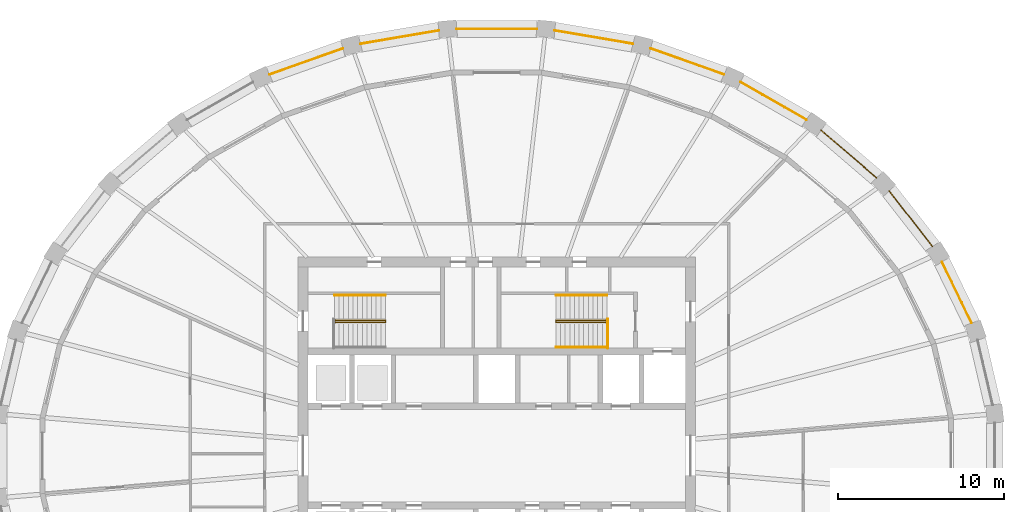
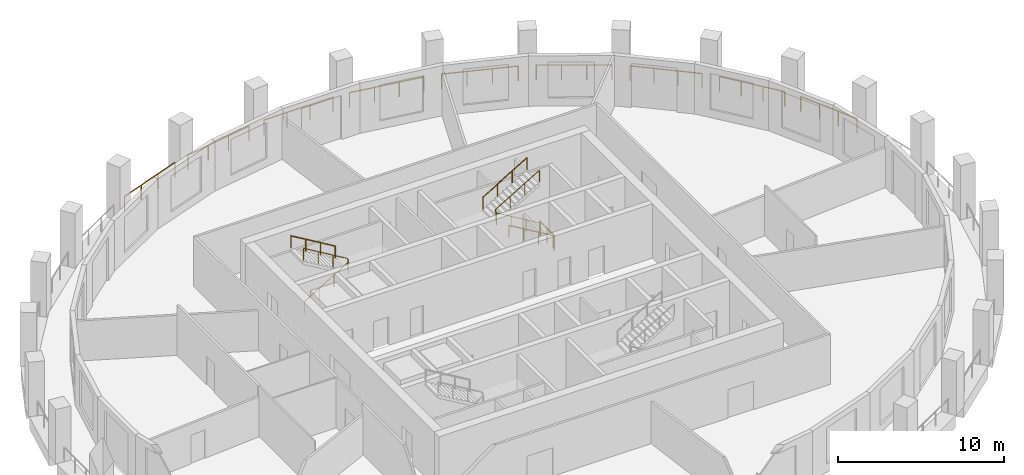
# One storey, part 9 of 10: 15 railings.
"""IFC4 building model written with IfcOpenShell, lengths in metres."""

from ifc_helpers import new_model, si_unit, direction, frame, origin, origin_2d, place, context, subcontext, project, spatial, circle, extrude, material, type_object, element, save


model = new_model("IFC4")

# Units and contexts
model_context = context("Model", 3, precision=1e-05, world=origin(), true_north=direction((0.0, 1.0)))
body_context = subcontext(model_context, "Body", "Model", "MODEL_VIEW")
ifc_project = project(units=[si_unit("LENGTHUNIT", "METRE"), si_unit("AREAUNIT", "SQUARE_METRE"), si_unit("VOLUMEUNIT", "CUBIC_METRE"), si_unit("PLANEANGLEUNIT", "RADIAN"), si_unit("MASSUNIT", "GRAM", prefix="KILO")], contexts=[model_context])

# Site, building, storey
site_placement = place(None, origin())
site = spatial("IfcSite", under=ifc_project, at=site_placement, CompositionType="ELEMENT")
building_placement = place(site_placement, origin())
building = spatial("IfcBuilding", under=site, at=building_placement, Name="Halqa Exchange Tower", CompositionType="ELEMENT")
storey_placement = place(building_placement, frame((0.0, 0.0, 260.300048828125)))
storey = spatial("IfcBuildingStorey", under=building, at=storey_placement, Name="L60", CompositionType="ELEMENT", Elevation=260.300048828125)

# Railings
ifc_material = material(Name="Stainless steel", Category="steel")
railing_type_1 = type_object("IfcRailingType", Name="Guard 1100 stainless steel", PredefinedType="GUARDRAIL", material=ifc_material)
railing_1_placement = place(storey_placement, frame((28.67041015625, 8.011962890625, 0.0)))
element("IfcRailing", 1, at=railing_1_placement, inside=storey, type_object=railing_type_1, Name="Loggia guard 2", PredefinedType="GUARDRAIL", context=body_context, shape_type="SweptSolid", body=[
    extrude(circle(Radius=0.02392578125, at=origin_2d()), frame((0.0, 0.0, 1.076171875), z_axis=(-0.435122901851, 0.900371068107, 0.0), x_axis=(-0.900371068107, -0.435122901851, 0.0)), (0.0, 0.0, 1.0), 4.10888671875),
    extrude(circle(Radius=0.02099609375, at=origin_2d()), origin(), (0.0, 0.0, 1.0), 1.052001953125),
    extrude(circle(Radius=0.02099609375, at=origin_2d()), frame((-0.595947265625, 1.233154296875, 0.0)), (0.0, 0.0, 1.0), 1.052001953125),
    extrude(circle(Radius=0.02099609375, at=origin_2d()), frame((-1.19189453125, 2.46630859375, 0.0)), (0.0, 0.0, 1.0), 1.052001953125),
    extrude(circle(Radius=0.02099609375, at=origin_2d()), frame((-1.787841796875, 3.699462890625, 0.0)), (0.0, 0.0, 1.0), 1.052001953125),
])
railing_2_placement = place(storey_placement, frame((26.30517578125, 12.640380859375, 0.0)))
element("IfcRailing", 2, at=railing_2_placement, inside=storey, type_object=railing_type_1, Name="Loggia guard 3", PredefinedType="GUARDRAIL", context=body_context, shape_type="SweptSolid", body=[
    extrude(circle(Radius=0.02392578125, at=origin_2d()), frame((0.0, 0.0, 1.076171875), z_axis=(-0.614806859209, 0.788677707223, 0.0), x_axis=(-0.788677707223, -0.614806859209, 0.0)), (0.0, 0.0, 1.0), 4.251708984375),
    extrude(circle(Radius=0.02099609375, at=origin_2d()), origin(), (0.0, 0.0, 1.0), 1.052001953125),
    extrude(circle(Radius=0.02099609375, at=origin_2d()), frame((-0.871337890625, 1.11767578125, 0.0)), (0.0, 0.0, 1.0), 1.052001953125),
    extrude(circle(Radius=0.02099609375, at=origin_2d()), frame((-1.74267578125, 2.235595703125, 0.0)), (0.0, 0.0, 1.0), 1.052001953125),
    extrude(circle(Radius=0.02099609375, at=origin_2d()), frame((-2.614013671875, 3.353271484375, 0.0)), (0.0, 0.0, 1.0), 1.052001953125),
])
railing_3_placement = place(storey_placement, frame((22.935302734375, 16.785400390625, 0.0)))
element("IfcRailing", 3, at=railing_3_placement, inside=storey, type_object=railing_type_1, Name="Loggia guard 4", PredefinedType="GUARDRAIL", context=body_context, shape_type="SweptSolid", body=[
    extrude(circle(Radius=0.02392578125, at=origin_2d()), frame((0.0, 0.0, 1.076171875), z_axis=(-0.759240989742, 0.650809587741, 0.0), x_axis=(-0.650809587741, -0.759240989742, 0.0)), (0.0, 0.0, 1.0), 4.415283203125),
    extrude(circle(Radius=0.02099609375, at=origin_2d()), origin(), (0.0, 0.0, 1.0), 1.052001953125),
    extrude(circle(Radius=0.02099609375, at=origin_2d()), frame((-1.117431640625, 0.957763671875, 0.0)), (0.0, 0.0, 1.0), 1.052001953125),
    extrude(circle(Radius=0.02099609375, at=origin_2d()), frame((-2.23486328125, 1.915771484375, 0.0)), (0.0, 0.0, 1.0), 1.052001953125),
    extrude(circle(Radius=0.02099609375, at=origin_2d()), frame((-3.352294921875, 2.87353515625, 0.0)), (0.0, 0.0, 1.0), 1.052001953125),
])
railing_4_placement = place(storey_placement, frame((18.68798828125, 20.290283203125, 0.0)))
element("IfcRailing", 4, at=railing_4_placement, inside=storey, type_object=railing_type_1, Name="Loggia guard 5", PredefinedType="GUARDRAIL", context=body_context, shape_type="SweptSolid", body=[
    extrude(circle(Radius=0.02392578125, at=origin_2d()), frame((0.0, 0.0, 1.076171875), z_axis=(-0.867756640144, 0.496989349469, 0.0), x_axis=(-0.496989349469, -0.867756640144, 0.0)), (0.0, 0.0, 1.0), 4.574462890625),
    extrude(circle(Radius=0.02099609375, at=origin_2d()), origin(), (0.0, 0.0, 1.0), 1.052001953125),
    extrude(circle(Radius=0.02099609375, at=origin_2d()), frame((-1.3232421875, 0.7578125, 0.0)), (0.0, 0.0, 1.0), 1.052001953125),
    extrude(circle(Radius=0.02099609375, at=origin_2d()), frame((-2.646240234375, 1.515625, 0.0)), (0.0, 0.0, 1.0), 1.052001953125),
    extrude(circle(Radius=0.02099609375, at=origin_2d()), frame((-3.969482421875, 2.2734375, 0.0)), (0.0, 0.0, 1.0), 1.052001953125),
])
railing_5_placement = place(storey_placement, frame((13.722900390625, 23.02099609375, 0.0)))
element("IfcRailing", 5, at=railing_5_placement, inside=storey, type_object=railing_type_1, Name="Loggia guard 6", PredefinedType="GUARDRAIL", context=body_context, shape_type="SweptSolid", body=[
    extrude(circle(Radius=0.02392578125, at=origin_2d()), frame((0.0, 0.0, 1.076171875), z_axis=(-0.942362332285, 0.334594134275, 0.0), x_axis=(-0.334594134275, -0.942362332285, 0.0)), (0.0, 0.0, 1.0), 4.706298828125),
    extrude(circle(Radius=0.02099609375, at=origin_2d()), origin(), (0.0, 0.0, 1.0), 1.052001953125),
    extrude(circle(Radius=0.02099609375, at=origin_2d()), frame((-1.478271484375, 0.52490234375, 0.0)), (0.0, 0.0, 1.0), 1.052001953125),
    extrude(circle(Radius=0.02099609375, at=origin_2d()), frame((-2.956787109375, 1.0498046875, 0.0)), (0.0, 0.0, 1.0), 1.052001953125),
    extrude(circle(Radius=0.02099609375, at=origin_2d()), frame((-4.43505859375, 1.57470703125, 0.0)), (0.0, 0.0, 1.0), 1.052001953125),
])
railing_6_placement = place(storey_placement, frame((8.227294921875, 24.8720703125, 0.0)))
element("IfcRailing", 6, at=railing_6_placement, inside=storey, type_object=railing_type_1, Name="Loggia guard 7", PredefinedType="GUARDRAIL", context=body_context, shape_type="SweptSolid", body=[
    extrude(circle(Radius=0.02392578125, at=origin_2d()), frame((0.0, 0.0, 1.076171875), z_axis=(-0.98577433099, 0.168074294172, 0.0), x_axis=(-0.168074294172, -0.98577433099, 0.0)), (0.0, 0.0, 1.0), 4.7919921875),
    extrude(circle(Radius=0.02099609375, at=origin_2d()), origin(), (0.0, 0.0, 1.0), 1.052001953125),
    extrude(circle(Radius=0.02099609375, at=origin_2d()), frame((-1.57470703125, 0.2685546875, 0.0)), (0.0, 0.0, 1.0), 1.052001953125),
    extrude(circle(Radius=0.02099609375, at=origin_2d()), frame((-3.149169921875, 0.536865234375, 0.0)), (0.0, 0.0, 1.0), 1.052001953125),
    extrude(circle(Radius=0.02099609375, at=origin_2d()), frame((-4.723876953125, 0.805419921875, 0.0)), (0.0, 0.0, 1.0), 1.052001953125),
])
railing_7_placement = place(storey_placement, frame((2.4111328125, 25.77001953125, 0.0)))
element("IfcRailing", 7, at=railing_7_placement, inside=storey, type_object=railing_type_1, Name="Loggia guard 8", PredefinedType="GUARDRAIL", context=body_context, shape_type="SweptSolid", body=[
    extrude(circle(Radius=0.02392578125, at=origin_2d()), frame((0.0, 0.0, 1.076171875), z_axis=(-1.0, 0.0, 0.0), x_axis=(0.0, -1.0, 0.0)), (0.0, 0.0, 1.0), 4.822265625),
    extrude(circle(Radius=0.02099609375, at=origin_2d()), origin(), (0.0, 0.0, 1.0), 1.052001953125),
    extrude(circle(Radius=0.02099609375, at=origin_2d()), frame((-1.607421875, 0.0, 0.0)), (0.0, 0.0, 1.0), 1.052001953125),
    extrude(circle(Radius=0.02099609375, at=origin_2d()), frame((-3.21484375, 0.0, 0.0)), (0.0, 0.0, 1.0), 1.052001953125),
    extrude(circle(Radius=0.02099609375, at=origin_2d()), frame((-4.822265625, 0.0, 0.0)), (0.0, 0.0, 1.0), 1.052001953125),
])
railing_8_placement = place(storey_placement, frame((-3.50341796875, 25.677490234375, 0.0)))
element("IfcRailing", 8, at=railing_8_placement, inside=storey, type_object=railing_type_1, Name="Loggia guard 9", PredefinedType="GUARDRAIL", context=body_context, shape_type="SweptSolid", body=[
    extrude(circle(Radius=0.02392578125, at=origin_2d()), frame((0.0, 0.0, 1.076171875), z_axis=(-0.98577433099, -0.168074294172, 0.0), x_axis=(0.168074294172, -0.98577433099, 0.0)), (0.0, 0.0, 1.0), 4.7919921875),
    extrude(circle(Radius=0.02099609375, at=origin_2d()), origin(), (0.0, 0.0, 1.0), 1.052001953125),
    extrude(circle(Radius=0.02099609375, at=origin_2d()), frame((-1.57470703125, -0.2685546875, 0.0)), (0.0, 0.0, 1.0), 1.052001953125),
    extrude(circle(Radius=0.02099609375, at=origin_2d()), frame((-3.149169921875, -0.536865234375, 0.0)), (0.0, 0.0, 1.0), 1.052001953125),
    extrude(circle(Radius=0.02099609375, at=origin_2d()), frame((-4.723876953125, -0.805419921875, 0.0)), (0.0, 0.0, 1.0), 1.052001953125),
])
railing_9_placement = place(storey_placement, frame((-9.287841796875, 24.595703125, 0.0)))
element("IfcRailing", 9, at=railing_9_placement, inside=storey, type_object=railing_type_1, Name="Loggia guard 10", PredefinedType="GUARDRAIL", context=body_context, shape_type="SweptSolid", body=[
    extrude(circle(Radius=0.02392578125, at=origin_2d()), frame((0.0, 0.0, 1.076171875), z_axis=(-0.942362332285, -0.334594134275, 0.0), x_axis=(0.334594134275, -0.942362332285, 0.0)), (0.0, 0.0, 1.0), 4.706298828125),
    extrude(circle(Radius=0.02099609375, at=origin_2d()), origin(), (0.0, 0.0, 1.0), 1.052001953125),
    extrude(circle(Radius=0.02099609375, at=origin_2d()), frame((-1.478271484375, -0.52490234375, 0.0)), (0.0, 0.0, 1.0), 1.052001953125),
    extrude(circle(Radius=0.02099609375, at=origin_2d()), frame((-2.956787109375, -1.0498046875, 0.0)), (0.0, 0.0, 1.0), 1.052001953125),
    extrude(circle(Radius=0.02099609375, at=origin_2d()), frame((-4.43505859375, -1.57470703125, 0.0)), (0.0, 0.0, 1.0), 1.052001953125),
])
railing_type_2 = type_object("IfcRailingType", Name="Stair handrail 900", PredefinedType="HANDRAIL", material=ifc_material)
railing_10_placement = place(storey_placement, frame((-9.800048828125, 8.06005859375, 0.166748046875)))
element("IfcRailing", 10, at=railing_10_placement, inside=storey, type_object=railing_type_2, Name="Handrail ST1.1", PredefinedType="HANDRAIL", context=body_context, shape_type="SweptSolid", body=[
    extrude(circle(Radius=0.02392578125, at=origin_2d()), frame((0.0, 0.0, 0.8759765625), z_axis=(0.859308565015, 0.0, 0.511457515432), x_axis=(0.0, 1.0, 0.0)), (0.0, 0.0, 1.0), 3.58447265625),
    extrude(circle(Radius=0.02392578125, at=origin_2d()), frame((3.080078125, 0.0, 2.708984375), z_axis=(0.0, 0.614500226555, 0.788916644243), x_axis=(-1.0, 0.0, 0.0)), (0.0, 0.0, 1.0), 0.21142578125),
    extrude(circle(Radius=0.02392578125, at=origin_2d()), frame((3.080078125, 0.1298828125, 2.8759765625), z_axis=(-0.859308565015, 0.0, 0.511457515432), x_axis=(0.0, -1.0, 0.0)), (0.0, 0.0, 1.0), 3.58447265625),
    extrude(circle(Radius=0.02099609375, at=origin_2d()), origin(), (0.0, 0.0, 1.0), 0.851806640625),
    extrude(circle(Radius=0.02099609375, at=origin_2d()), frame((1.026611328125, 0.0, 0.611083984375)), (0.0, 0.0, 1.0), 0.851806640625),
    extrude(circle(Radius=0.02099609375, at=origin_2d()), frame((2.053466796875, 0.0, 1.22216796875)), (0.0, 0.0, 1.0), 0.851806640625),
    extrude(circle(Radius=0.02099609375, at=origin_2d()), frame((3.080078125, 0.0, 1.833251953125)), (0.0, 0.0, 1.0), 0.851806640625),
    extrude(circle(Radius=0.02099609375, at=origin_2d()), frame((3.080078125, 0.1298828125, 2.0)), (0.0, 0.0, 1.0), 0.851806640625),
    extrude(circle(Radius=0.02099609375, at=origin_2d()), frame((2.053466796875, 0.1298828125, 2.611083984375)), (0.0, 0.0, 1.0), 0.851806640625),
    extrude(circle(Radius=0.02099609375, at=origin_2d()), frame((1.026611328125, 0.1298828125, 3.22216796875)), (0.0, 0.0, 1.0), 0.851806640625),
    extrude(circle(Radius=0.02099609375, at=origin_2d()), frame((0.0, 0.1298828125, 3.833251953125)), (0.0, 0.0, 1.0), 0.851806640625),
])
railing_11_placement = place(storey_placement, frame((-6.719970703125, 9.699951171875, 2.166748046875)))
element("IfcRailing", 11, at=railing_11_placement, inside=storey, type_object=railing_type_2, Name="Handrail ST1.3", PredefinedType="HANDRAIL", context=body_context, shape_type="SweptSolid", body=[
    extrude(circle(Radius=0.02392578125, at=origin_2d()), frame((0.0, 0.0, 0.8759765625), z_axis=(-0.859308565015, 0.0, 0.511457515432), x_axis=(0.0, -1.0, 0.0)), (0.0, 0.0, 1.0), 3.58447265625),
    extrude(circle(Radius=0.02099609375, at=origin_2d()), origin(), (0.0, 0.0, 1.0), 0.851806640625),
    extrude(circle(Radius=0.02099609375, at=origin_2d()), frame((-1.026611328125, 0.0, 0.611083984375)), (0.0, 0.0, 1.0), 0.851806640625),
    extrude(circle(Radius=0.02099609375, at=origin_2d()), frame((-2.053466796875, 0.0, 1.22216796875)), (0.0, 0.0, 1.0), 0.851806640625),
    extrude(circle(Radius=0.02099609375, at=origin_2d()), frame((-3.080078125, 0.0, 1.833251953125)), (0.0, 0.0, 1.0), 0.851806640625),
])
railing_12_placement = place(storey_placement, frame((6.64990234375, 8.06005859375, 0.166748046875)))
element("IfcRailing", 12, at=railing_12_placement, inside=storey, type_object=railing_type_2, Name="Handrail ST2.1", PredefinedType="HANDRAIL", context=body_context, shape_type="SweptSolid", body=[
    extrude(circle(Radius=0.02392578125, at=origin_2d()), frame((0.0, 0.0, 0.8759765625), z_axis=(-0.859290745958, 0.0, 0.51148745235), x_axis=(0.0, -1.0, 0.0)), (0.0, 0.0, 1.0), 3.584228515625),
    extrude(circle(Radius=0.02392578125, at=origin_2d()), frame((-3.079833984375, 0.0, 2.708984375), z_axis=(0.0, 0.614500226555, 0.788916644243), x_axis=(-1.0, 0.0, 0.0)), (0.0, 0.0, 1.0), 0.21142578125),
    extrude(circle(Radius=0.02392578125, at=origin_2d()), frame((-3.079833984375, 0.1298828125, 2.8759765625), z_axis=(0.859290745958, 0.0, 0.51148745235), x_axis=(0.0, 1.0, 0.0)), (0.0, 0.0, 1.0), 3.584228515625),
    extrude(circle(Radius=0.02099609375, at=origin_2d()), origin(), (0.0, 0.0, 1.0), 0.851806640625),
    extrude(circle(Radius=0.02099609375, at=origin_2d()), frame((-1.026611328125, 0.0, 0.611083984375)), (0.0, 0.0, 1.0), 0.851806640625),
    extrude(circle(Radius=0.02099609375, at=origin_2d()), frame((-2.05322265625, 0.0, 1.22216796875)), (0.0, 0.0, 1.0), 0.851806640625),
    extrude(circle(Radius=0.02099609375, at=origin_2d()), frame((-3.079833984375, 0.0, 1.833251953125)), (0.0, 0.0, 1.0), 0.851806640625),
    extrude(circle(Radius=0.02099609375, at=origin_2d()), frame((-3.079833984375, 0.1298828125, 2.0)), (0.0, 0.0, 1.0), 0.851806640625),
    extrude(circle(Radius=0.02099609375, at=origin_2d()), frame((-2.05322265625, 0.1298828125, 2.611083984375)), (0.0, 0.0, 1.0), 0.851806640625),
    extrude(circle(Radius=0.02099609375, at=origin_2d()), frame((-1.026611328125, 0.1298828125, 3.22216796875)), (0.0, 0.0, 1.0), 0.851806640625),
    extrude(circle(Radius=0.02099609375, at=origin_2d()), frame((0.0, 0.1298828125, 3.833251953125)), (0.0, 0.0, 1.0), 0.851806640625),
])
railing_13_placement = place(storey_placement, frame((6.64990234375, 6.550048828125, 0.166748046875)))
element("IfcRailing", 13, at=railing_13_placement, inside=storey, type_object=railing_type_2, Name="Handrail ST2.2", PredefinedType="HANDRAIL", context=body_context, shape_type="SweptSolid", body=[
    extrude(circle(Radius=0.02392578125, at=origin_2d()), frame((0.0, 0.0, 0.8759765625), z_axis=(-0.859290745958, 0.0, 0.51148745235), x_axis=(0.0, -1.0, 0.0)), (0.0, 0.0, 1.0), 3.584228515625),
    extrude(circle(Radius=0.02099609375, at=origin_2d()), origin(), (0.0, 0.0, 1.0), 0.851806640625),
    extrude(circle(Radius=0.02099609375, at=origin_2d()), frame((-1.026611328125, 0.0, 0.611083984375)), (0.0, 0.0, 1.0), 0.851806640625),
    extrude(circle(Radius=0.02099609375, at=origin_2d()), frame((-2.05322265625, 0.0, 1.22216796875)), (0.0, 0.0, 1.0), 0.851806640625),
    extrude(circle(Radius=0.02099609375, at=origin_2d()), frame((-3.079833984375, 0.0, 1.833251953125)), (0.0, 0.0, 1.0), 0.851806640625),
])
railing_14_placement = place(storey_placement, frame((3.570068359375, 9.699951171875, 2.166748046875)))
element("IfcRailing", 14, at=railing_14_placement, inside=storey, type_object=railing_type_2, Name="Handrail ST2.3", PredefinedType="HANDRAIL", context=body_context, shape_type="SweptSolid", body=[
    extrude(circle(Radius=0.02392578125, at=origin_2d()), frame((0.0, 0.0, 0.8759765625), z_axis=(0.859290745958, 0.0, 0.51148745235), x_axis=(0.0, 1.0, 0.0)), (0.0, 0.0, 1.0), 3.584228515625),
    extrude(circle(Radius=0.02099609375, at=origin_2d()), origin(), (0.0, 0.0, 1.0), 0.851806640625),
    extrude(circle(Radius=0.02099609375, at=origin_2d()), frame((1.026611328125, 0.0, 0.611083984375)), (0.0, 0.0, 1.0), 0.851806640625),
    extrude(circle(Radius=0.02099609375, at=origin_2d()), frame((2.05322265625, 0.0, 1.22216796875)), (0.0, 0.0, 1.0), 0.851806640625),
    extrude(circle(Radius=0.02099609375, at=origin_2d()), frame((3.079833984375, 0.0, 1.833251953125)), (0.0, 0.0, 1.0), 0.851806640625),
])
railing_type_3 = type_object("IfcRailingType", Name="Stair well guard 1100", PredefinedType="GUARDRAIL", material=ifc_material)
railing_15_placement = place(storey_placement, frame((6.699951171875, 6.5, 0.0)))
element("IfcRailing", 15, at=railing_15_placement, inside=storey, type_object=railing_type_3, Name="Guard ST2 well", PredefinedType="GUARDRAIL", context=body_context, shape_type="SweptSolid", body=[
    extrude(circle(Radius=0.02392578125, at=origin_2d()), frame((0.0, 0.0, 1.076171875), z_axis=(0.0, 1.0, 0.0), x_axis=(-1.0, 0.0, 0.0)), (0.0, 0.0, 1.0), 1.75),
    extrude(circle(Radius=0.02099609375, at=origin_2d()), origin(), (0.0, 0.0, 1.0), 1.052001953125),
    extrude(circle(Radius=0.02099609375, at=origin_2d()), frame((0.0, 0.875, 0.0)), (0.0, 0.0, 1.0), 1.052001953125),
    extrude(circle(Radius=0.02099609375, at=origin_2d()), frame((0.0, 1.75, 0.0)), (0.0, 0.0, 1.0), 1.052001953125),
])

save(model, "model.ifc")
